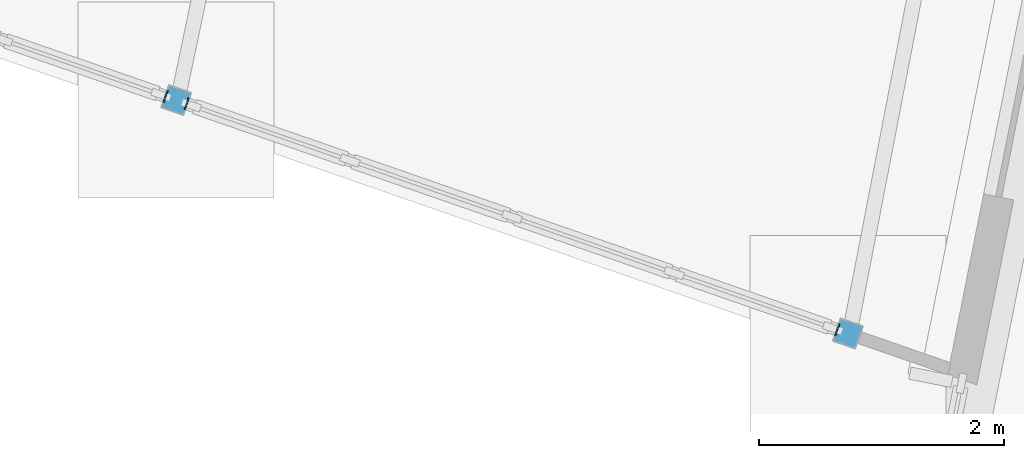
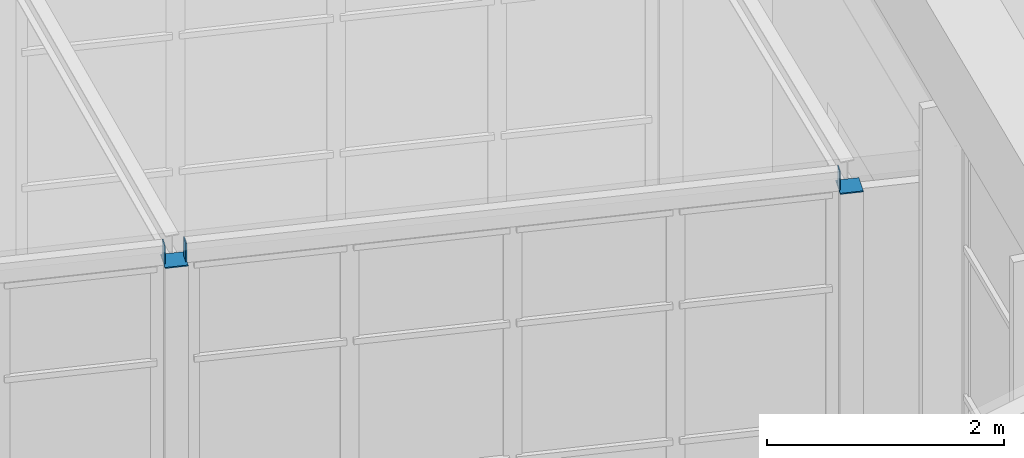
# One storey, part 188 of 226: 5 discrete accessories.
"""IFC4 building model written with IfcOpenShell, lengths in metres."""

from ifc_helpers import new_model, si_unit, direction, frame, origin, origin_2d, place, context, subcontext, project, spatial, rectangle, extrude, material, material_profile, profile_set, type_object, element, save


model = new_model("IFC4")

# Units and contexts
model_context = context("Model", 3, precision=1e-05, world=origin(), true_north=direction((0.0, 1.0)))
body_context = subcontext(model_context, "Body", "Model", "MODEL_VIEW")
ifc_project = project(units=[si_unit("LENGTHUNIT", "METRE"), si_unit("AREAUNIT", "SQUARE_METRE"), si_unit("VOLUMEUNIT", "CUBIC_METRE"), si_unit("PLANEANGLEUNIT", "RADIAN"), si_unit("MASSUNIT", "GRAM", prefix="KILO")], contexts=[model_context])

# Site, building, storey
site_placement = place(None, origin())
site = spatial("IfcSite", under=ifc_project, at=site_placement, CompositionType="ELEMENT")
building_placement = place(site_placement, origin())
building = spatial("IfcBuilding", under=site, at=building_placement, Name="Ceibo Conservatory and Research Tower", CompositionType="ELEMENT")
storey_placement = place(building_placement, origin())
storey = spatial("IfcBuildingStorey", under=building, at=storey_placement, Name="L00", CompositionType="ELEMENT", Elevation=0.0)

# Discrete accessories
ifc_material = material(Name="Steel S355J2", Category="steel")
ifc_material_profile_1 = material_profile(ifc_material, rectangle(XDim=0.10009765625, YDim=0.199951171875, at=origin_2d()), Name="End plate PL 200x100x8")
ifc_profile_set_1 = profile_set([ifc_material_profile_1], Name="Steel S355J2")
discrete_accessory_type_1 = type_object("IfcDiscreteAccessoryType", Name="End plate PL 200x100x8", PredefinedType="USERDEFINED", material=ifc_profile_set_1)
for number, where, z_axis, x_axis, name in (
    (1, (136.002197265625, 40.91552734375, 3.89990234375), (0.941194670762, -0.337864753607, 0.0), (0.337864753607, 0.941194670762, 0.0), "Gallery edge beam AUD-VC-EBS13 end plate"),
    (2, (136.176025390625, 40.85498046875, 3.89990234375), (0.948683298051, -0.316227766017, 0.0), (0.316227766017, 0.948683298051, 0.0), "Gallery edge beam AUD-VC-EBS14 end plate"),
    (3, (141.490478515625, 39.008056640625, 3.89990234375), (0.941194670762, -0.337864753607, 0.0), (0.337864753607, 0.941194670762, 0.0), "Gallery edge beam AUD-VC-EBS14 end plate"),
):
    element("IfcDiscreteAccessory", number, at=place(storey_placement, frame(where, z_axis=z_axis, x_axis=x_axis)), inside=storey, type_object=discrete_accessory_type_1, Name=name, ObjectType="End plate", PredefinedType="USERDEFINED", context=body_context, shape_type="SweptSolid", body=[
        extrude(rectangle(XDim=0.10009765625, YDim=0.199951171875, at=origin_2d()), origin(), (0.0, 0.0, 1.0), 0.010009765625),
    ])
ifc_material_profile_2 = material_profile(ifc_material, rectangle(XDim=0.199951171875, YDim=0.199951171875, at=origin_2d()), Name="End plate PL 200x200x10")
ifc_profile_set_2 = profile_set([ifc_material_profile_2], Name="Steel S355J2")
discrete_accessory_type_2 = type_object("IfcDiscreteAccessoryType", Name="End plate PL 200x200x10", PredefinedType="USERDEFINED", material=ifc_profile_set_2)
for number, where, z_axis, x_axis, name in (
    (4, (136.09375, 40.883544921875, 3.798095703125), (0.0, 0.0, 1.0), (0.944579236191, -0.328283515513, 0.0), "Gallery column AUD-VC-CS13 end plate"),
    (5, (141.58203125, 38.97607421875, 3.798095703125), (0.0, 0.0, 1.0), (0.944579236191, -0.328283515513, 0.0), "Gallery column AUD-VC-CS14 end plate"),
):
    element("IfcDiscreteAccessory", number, at=place(storey_placement, frame(where, z_axis=z_axis, x_axis=x_axis)), inside=storey, type_object=discrete_accessory_type_2, Name=name, ObjectType="End plate", PredefinedType="USERDEFINED", context=body_context, shape_type="SweptSolid", body=[
        extrude(rectangle(XDim=0.199951171875, YDim=0.199951171875, at=origin_2d()), origin(), (0.0, 0.0, 1.0), 0.011962890625),
    ])

save(model, "model.ifc")
